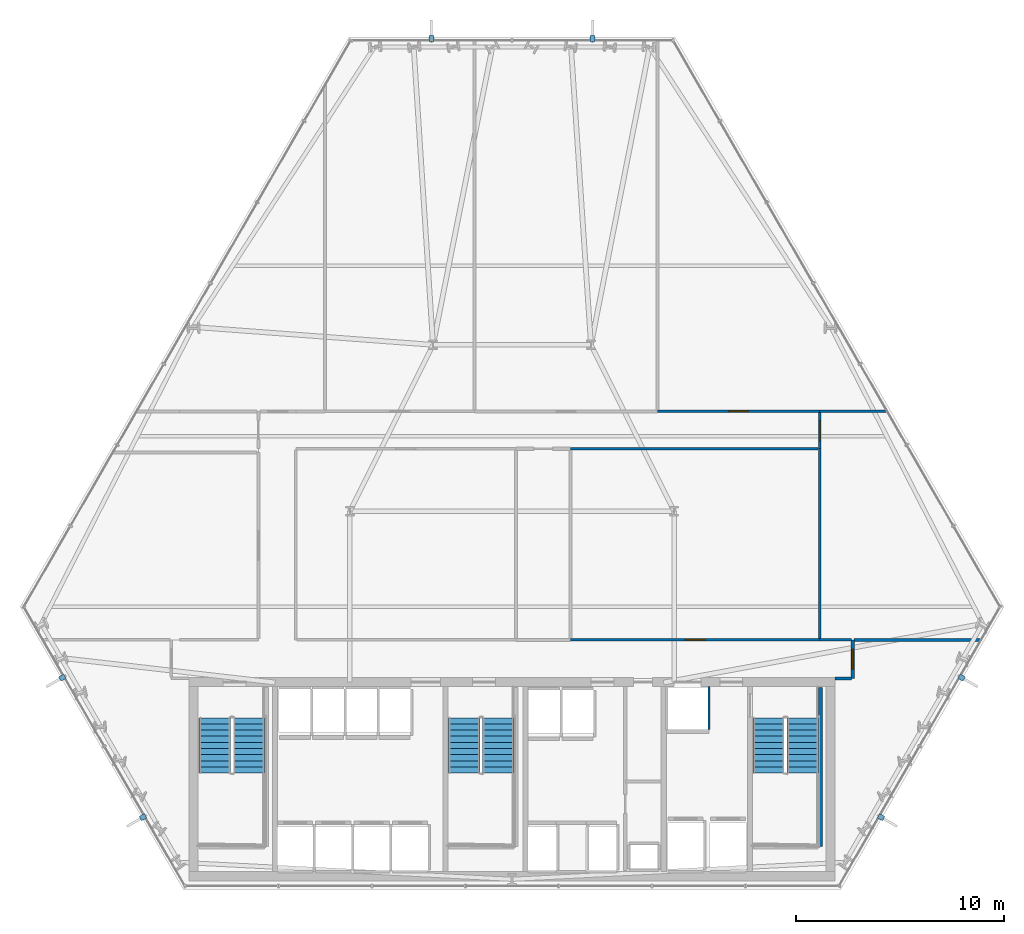
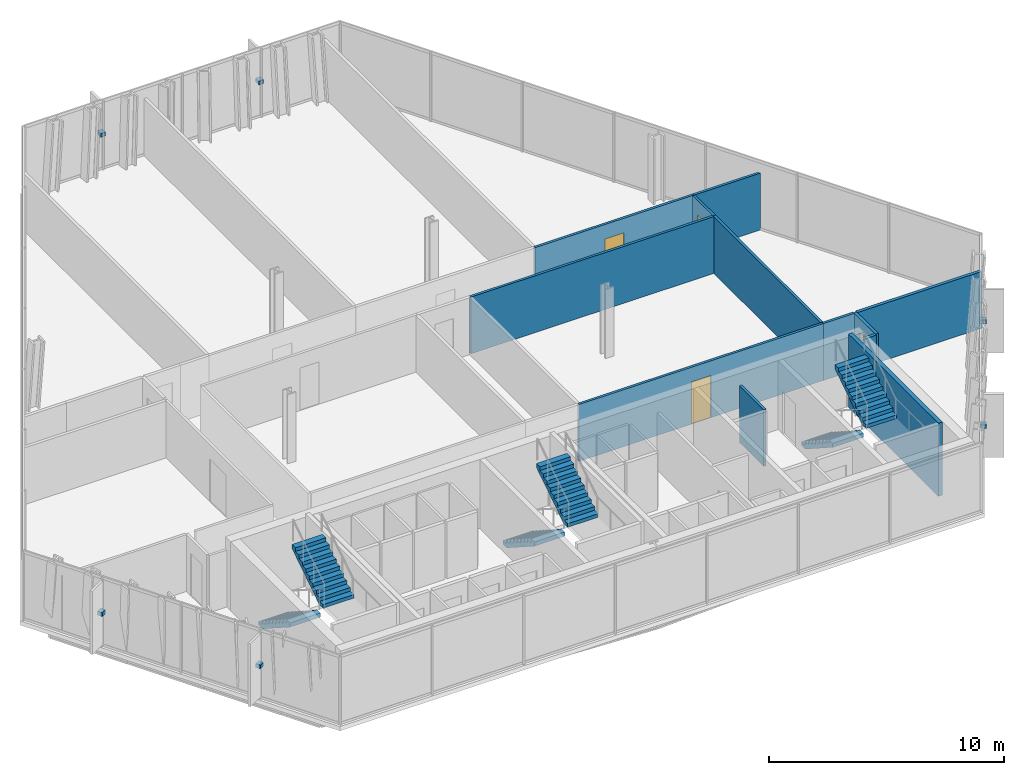
# One storey, part 28 of 32: 12 walls, 6 discrete accessories, 6 stair flights, 4 doors, 4 openings, 3 elements without a shape of their own.
"""IFC4 building model written with IfcOpenShell, lengths in metres."""

from ifc_helpers import new_model, si_unit, direction, frame, frame_2d, origin, origin_2d, place, context, subcontext, project, spatial, polyline, rectangle, outline, extrude, material, layer, layer_set, type_object, element, fill, aggregate, save


model = new_model("IFC4")

# Units and contexts
model_context = context("Model", 3, precision=1e-05, world=origin(), true_north=direction((0.0, 1.0)))
body_context = subcontext(model_context, "Body", "Model", "MODEL_VIEW")
ifc_project = project(units=[si_unit("LENGTHUNIT", "METRE"), si_unit("AREAUNIT", "SQUARE_METRE"), si_unit("VOLUMEUNIT", "CUBIC_METRE"), si_unit("PLANEANGLEUNIT", "RADIAN"), si_unit("MASSUNIT", "GRAM", prefix="KILO")], contexts=[model_context])

# Site, building, storey
site_placement = place(None, origin())
site = spatial("IfcSite", under=ifc_project, at=site_placement, CompositionType="ELEMENT")
building_placement = place(site_placement, origin())
building = spatial("IfcBuilding", under=site, at=building_placement, Name="Ndaravel Arena Tower", CompositionType="ELEMENT")
storey_placement = place(building_placement, frame((0.0, 0.0, 66.39990234375)))
storey = spatial("IfcBuildingStorey", under=building, at=storey_placement, Name="L14", CompositionType="ELEMENT", Elevation=66.39990234375)

# Wall, opening, door
ifc_material_1 = material(Name="Gypsum", Category="gypsum")
ifc_layer_1 = layer(ifc_material_1, 0.125)
ifc_layer_set_1 = layer_set([ifc_layer_1], Name="Gypsum")
wall_type_1 = type_object("IfcWallType", Name="WALL-PART-125", PredefinedType="PARTITIONING", material=ifc_layer_set_1)
wall_1_placement = place(storey_placement, frame((49.0, 28.0, 0.0), z_axis=(0.0, 0.0, 1.0), x_axis=(1.0, 0.0, 0.0)))
wall_1 = element("IfcWall", 1, at=wall_1_placement, inside=storey, type_object=wall_type_1, Name="L14 Interior Partition 012", PredefinedType="PARTITIONING", context=body_context, shape_type="SweptSolid", body=[
    extrude(rectangle(XDim=7.800048828125, YDim=0.125, at=frame_2d((3.89990234375, 0.0))), origin(), (0.0, 0.0, 1.0), 2.9501953125),
])
opening_1_placement = place(wall_1_placement, frame((3.425048828125, 0.0, 0.0)))
opening_1 = element("IfcOpeningElement", 2, at=opening_1_placement, cuts=wall_1, Name="Opening ID-01", PredefinedType="OPENING", context=body_context, shape_type="SweptSolid", body=[
    extrude(rectangle(XDim=0.949951171875, YDim=2.199951171875, at=frame_2d((0.47509765625, 1.10009765625))), frame((0.0, 0.0625, 0.0), z_axis=(0.0, -1.0, 0.0), x_axis=(1.0, 0.0, 0.0)), (0.0, 0.0, 1.0), 0.125),
])
ifc_material_2 = material(Name="Timber", Category="wood")
door_type_1 = type_object("IfcDoorType", Name="DT-03-OFFICE-950", OperationType="SINGLE_SWING_LEFT", PredefinedType="DOOR", material=ifc_material_2)
door_1_placement = place(opening_1_placement, origin())
door_1 = element("IfcDoor", 3, at=door_1_placement, inside=storey, type_object=door_type_1, Name="L14 Barista Galley 3 Door", OperationType="SINGLE_SWING_RIGHT", OverallHeight=2.199951171875, OverallWidth=0.949951171875, PredefinedType="DOOR", context=body_context, shape_type="SweptSolid", body=[
    extrude(rectangle(XDim=0.949951171875, YDim=2.199951171875, at=frame_2d((0.47509765625, 1.10009765625))), frame((0.0, 0.02490234375, 0.0), z_axis=(0.0, -1.0, 0.0), x_axis=(1.0, 0.0, 0.0)), (0.0, 0.0, 1.0), 0.050048828125),
])
fill(opening_1, door_1)

wall_2_placement = place(storey_placement, frame((56.800048828125, 27.93505859375, 0.0), z_axis=(0.0, 0.0, 1.0), x_axis=(0.0, -1.0, 0.0)))
wall_2 = element("IfcWall", 4, at=wall_2_placement, inside=storey, type_object=wall_type_1, Name="L14 Interior Partition 013", PredefinedType="PARTITIONING", context=body_context, shape_type="SweptSolid", body=[
    extrude(rectangle(XDim=1.735107421875, YDim=0.125, at=frame_2d((0.86767578125, 0.0))), origin(), (0.0, 0.0, 1.0), 2.9501953125),
])
opening_2_placement = place(wall_2_placement, frame((0.392578125, 0.0, 0.0)))
opening_2 = element("IfcOpeningElement", 5, at=opening_2_placement, cuts=wall_2, Name="Opening ID-01", PredefinedType="OPENING", context=body_context, shape_type="SweptSolid", body=[
    extrude(rectangle(XDim=0.949951171875, YDim=2.199951171875, at=frame_2d((0.47509765625, 1.10009765625))), frame((0.0, 0.0625, 0.0), z_axis=(0.0, -1.0, 0.0), x_axis=(1.0, 0.0, 0.0)), (0.0, 0.0, 1.0), 0.125),
])
door_2_placement = place(opening_2_placement, origin())
door_2 = element("IfcDoor", 6, at=door_2_placement, inside=storey, type_object=door_type_1, Name="L14 Advisory Desk Office 3 Door", OperationType="SINGLE_SWING_LEFT", OverallHeight=2.199951171875, OverallWidth=0.949951171875, PredefinedType="DOOR", context=body_context, shape_type="SweptSolid", body=[
    extrude(rectangle(XDim=0.949951171875, YDim=2.199951171875, at=frame_2d((0.47509765625, 1.10009765625))), frame((0.0, 0.02490234375, 0.0), z_axis=(0.0, -1.0, 0.0), x_axis=(1.0, 0.0, 0.0)), (0.0, 0.0, 1.0), 0.050048828125),
])
fill(opening_2, door_2)

# Wall
wall_3_placement = place(storey_placement, frame((56.735107421875, 26.199951171875, 0.0), z_axis=(0.0, 0.0, 1.0), x_axis=(-1.0, 0.0, 0.0)))
element("IfcWall", 7, at=wall_3_placement, inside=storey, type_object=wall_type_1, Name="L14 Interior Partition 014", PredefinedType="PARTITIONING", context=body_context, shape_type="SweptSolid", body=[
    extrude(rectangle(XDim=11.920166015625, YDim=0.125, at=frame_2d((5.9599609375, 0.0))), origin(), (0.0, 0.0, 1.0), 2.9501953125),
])

# Wall, opening, door
wall_4_placement = place(storey_placement, frame((44.81494140625, 17.0, 0.0), z_axis=(0.0, 0.0, 1.0), x_axis=(1.0, 0.0, 0.0)))
wall_4 = element("IfcWall", 8, at=wall_4_placement, inside=storey, type_object=wall_type_1, Name="L14 Interior Partition 020", PredefinedType="PARTITIONING", context=body_context, shape_type="SweptSolid", body=[
    extrude(rectangle(XDim=11.985107421875, YDim=0.125, at=frame_2d((5.99267578125, 0.0))), origin(), (0.0, 0.0, 1.0), 2.9501953125),
])
opening_3_placement = place(wall_4_placement, frame((5.517578125, 0.0, 0.0)))
opening_3 = element("IfcOpeningElement", 9, at=opening_3_placement, cuts=wall_4, Name="Opening ID-01", PredefinedType="OPENING", context=body_context, shape_type="SweptSolid", body=[
    extrude(rectangle(XDim=0.949951171875, YDim=2.199951171875, at=frame_2d((0.47509765625, 1.10009765625))), frame((0.0, 0.0625, 0.0), z_axis=(0.0, -1.0, 0.0), x_axis=(1.0, 0.0, 0.0)), (0.0, 0.0, 1.0), 0.125),
])
door_3_placement = place(opening_3_placement, origin())
door_3 = element("IfcDoor", 10, at=door_3_placement, inside=storey, type_object=door_type_1, Name="L14 Cellular Partner Office 2 Door", OperationType="SINGLE_SWING_RIGHT", OverallHeight=2.199951171875, OverallWidth=0.949951171875, PredefinedType="DOOR", context=body_context, shape_type="SweptSolid", body=[
    extrude(rectangle(XDim=0.949951171875, YDim=2.199951171875, at=frame_2d((0.47509765625, 1.10009765625))), frame((0.0, 0.02490234375, 0.0), z_axis=(0.0, -1.0, 0.0), x_axis=(1.0, 0.0, 0.0)), (0.0, 0.0, 1.0), 0.050048828125),
])
fill(opening_3, door_3)

# Walls
wall_5_placement = place(storey_placement, frame((56.800048828125, 17.0, 0.0), z_axis=(0.0, 0.0, 1.0), x_axis=(1.0, 0.0, 0.0)))
element("IfcWall", 11, at=wall_5_placement, inside=storey, type_object=wall_type_1, Name="L14 Interior Partition 021", PredefinedType="PARTITIONING", context=body_context, shape_type="SweptSolid", body=[
    extrude(rectangle(XDim=1.534912109375, YDim=0.125, at=frame_2d((0.767578125, 0.0))), origin(), (0.0, 0.0, 1.0), 2.9501953125),
])
wall_6_placement = place(storey_placement, frame((56.800048828125, 26.199951171875, 0.0), z_axis=(0.0, 0.0, 1.0), x_axis=(0.0, -1.0, 0.0)))
element("IfcWall", 12, at=wall_6_placement, inside=storey, type_object=wall_type_1, Name="L14 Interior Partition 027", PredefinedType="PARTITIONING", context=body_context, shape_type="SweptSolid", body=[
    extrude(rectangle(XDim=9.135009765625, YDim=0.125, at=frame_2d((4.5673828125, 0.0))), origin(), (0.0, 0.0, 1.0), 2.9501953125),
])
wall_7_placement = place(storey_placement, frame((56.800048828125, 28.0, 0.0), z_axis=(0.0, 0.0, 1.0), x_axis=(1.0, 0.0, 0.0)))
element("IfcWall", 13, at=wall_7_placement, inside=storey, type_object=wall_type_1, Name="L14 Interior Partition 028", PredefinedType="PARTITIONING", context=body_context, shape_type="SweptSolid", body=[
    extrude(rectangle(XDim=3.260498046875, YDim=0.125, at=frame_2d((1.63037109375, 0.0))), origin(), (0.0, 0.0, 1.0), 2.9501953125),
])
ifc_material_3 = material(Name="Concrete C40/50", Category="concrete")
ifc_layer_2 = layer(ifc_material_3, 0.1201171875)
ifc_layer_set_2 = layer_set([ifc_layer_2], Name="Concrete C40/50")
wall_type_2 = type_object("IfcWallType", Name="WALL-SHAFT-120", PredefinedType="SOLIDWALL", material=ifc_layer_set_2)
wall_8_placement = place(storey_placement, frame((51.47998046875, 12.68994140625, 0.0), z_axis=(0.0, 0.0, 1.0), x_axis=(0.0, 1.0, 0.0)))
element("IfcWall", 14, at=wall_8_placement, inside=storey, type_object=wall_type_2, Name="L14 SVL-1 Shaft E Wall", PredefinedType="SOLIDWALL", context=body_context, shape_type="SweptSolid", body=[
    extrude(rectangle(XDim=2.070068359375, YDim=0.1201171875, at=frame_2d((1.03515625, 0.0))), origin(), (0.0, 0.0, 1.0), 2.9501953125),
])
ifc_material_4 = material(Name="Concrete C40/50", Category="concrete")
ifc_layer_3 = layer(ifc_material_4, 0.199951171875)
ifc_layer_set_3 = layer_set([ifc_layer_3], Name="Concrete C40/50")
wall_type_3 = type_object("IfcWallType", Name="WALL-SHAFT-200", PredefinedType="SOLIDWALL", material=ifc_layer_set_3)
wall_9_placement = place(storey_placement, frame((56.840087890625, 14.699951171875, 0.0), z_axis=(0.0, 0.0, 1.0), x_axis=(0.0, -1.0, 0.0)))
element("IfcWall", 15, at=wall_9_placement, inside=storey, type_object=wall_type_3, Name="L14 ST-3 Structural Shaft Wall Right", PredefinedType="SOLIDWALL", context=body_context, shape_type="SweptSolid", body=[
    extrude(rectangle(XDim=7.64990234375, YDim=0.199951171875, at=frame_2d((3.824951171875, 0.0))), origin(), (0.0, 0.0, 1.0), 3.800048828125),
])

# Wall, opening, door
ifc_material_5 = material(Name="Masonry", Category="masonry")
ifc_layer_4 = layer(ifc_material_5, 0.14990234375)
ifc_layer_set_4 = layer_set([ifc_layer_4], Name="Masonry")
wall_type_4 = type_object("IfcWallType", Name="WALL-WET-150", PredefinedType="PARTITIONING", material=ifc_layer_set_4)
wall_10_placement = place(storey_placement, frame((58.39990234375, 17.0, 0.0), z_axis=(0.0, 0.0, 1.0), x_axis=(0.0, -1.0, 0.0)))
wall_10 = element("IfcWall", 16, at=wall_10_placement, inside=storey, type_object=wall_type_4, Name="L14 Interior Partition 001", PredefinedType="PARTITIONING", context=body_context, shape_type="SweptSolid", body=[
    extrude(rectangle(XDim=1.85009765625, YDim=0.14990234375, at=frame_2d((0.925048828125, 0.0))), origin(), (0.0, 0.0, 1.0), 2.9501953125),
])
opening_4_placement = place(wall_10_placement, frame((0.449951171875, 0.0, 0.0)))
opening_4 = element("IfcOpeningElement", 17, at=opening_4_placement, cuts=wall_10, Name="Opening FD-03", PredefinedType="OPENING", context=body_context, shape_type="SweptSolid", body=[
    extrude(rectangle(XDim=0.949951171875, YDim=2.199951171875, at=frame_2d((0.47509765625, 1.10009765625))), frame((0.0, 0.074951171875, 0.0), z_axis=(0.0, -1.0, 0.0), x_axis=(1.0, 0.0, 0.0)), (0.0, 0.0, 1.0), 0.14990234375),
])
ifc_material_6 = material(Name="Steel S355", Category="steel")
door_type_2 = type_object("IfcDoorType", Name="DT-11-CORE-950", OperationType="SINGLE_SWING_LEFT", PredefinedType="DOOR", material=ifc_material_6)
door_4_placement = place(opening_4_placement, origin())
door_4 = element("IfcDoor", 18, at=door_4_placement, inside=storey, type_object=door_type_2, Name="L14 Staff Espresso Kitchen Door", OperationType="SINGLE_SWING_RIGHT", OverallHeight=2.199951171875, OverallWidth=0.949951171875, PredefinedType="DOOR", context=body_context, shape_type="SweptSolid", body=[
    extrude(rectangle(XDim=0.949951171875, YDim=2.199951171875, at=frame_2d((0.47509765625, 1.10009765625))), frame((0.0, 0.02490234375, 0.0), z_axis=(0.0, -1.0, 0.0), x_axis=(1.0, 0.0, 0.0)), (0.0, 0.0, 1.0), 0.050048828125),
])
fill(opening_4, door_4)

# Walls
wall_11_placement = place(storey_placement, frame((58.3349609375, 15.14990234375, 0.0), z_axis=(0.0, 0.0, 1.0), x_axis=(-1.0, 0.0, 0.0)))
element("IfcWall", 19, at=wall_11_placement, inside=storey, type_object=wall_type_4, Name="L14 Interior Partition 002", PredefinedType="PARTITIONING", context=body_context, shape_type="SweptSolid", body=[
    extrude(rectangle(XDim=0.784912109375, YDim=0.14990234375, at=frame_2d((0.392578125, 0.0))), origin(), (0.0, 0.0, 1.0), 2.9501953125),
])
wall_12_placement = place(storey_placement, frame((58.465087890625, 17.0, 0.0), z_axis=(0.0, 0.0, 1.0), x_axis=(1.0, 0.0, 0.0)))
element("IfcWall", 20, at=wall_12_placement, inside=storey, type_object=wall_type_4, Name="L14 Interior Partition 023", PredefinedType="PARTITIONING", context=body_context, shape_type="SweptSolid", body=[
    extrude(rectangle(XDim=6.105712890625, YDim=0.14990234375, at=frame_2d((3.052734375, 0.0))), origin(), (0.0, 0.0, 1.0), 2.9501953125),
])

# Stair, stair flights
ifc_material_7 = material(Name="Concrete C40/50", Category="concrete")
stair_type = type_object("IfcStairType", Name="STAIR-CORE-HT", PredefinedType="HALF_TURN_STAIR", material=ifc_material_7)
stair_1_placement = place(storey_placement, origin())
stair_1 = element("IfcStair", 21, at=stair_1_placement, inside=storey, type_object=stair_type, Name="L14 ST-1", PredefinedType="HALF_TURN_STAIR")
ifc_material_8 = material(Name="Concrete C40/50", Category="concrete")
stair_flight_type = type_object("IfcStairFlightType", Name="SFLIGHT-CORE-1680", PredefinedType="STRAIGHT", material=ifc_material_8)
stair_flight_1_placement = place(storey_placement, frame((27.699951171875, 13.25, 0.0), z_axis=(0.0, 0.0, 1.0), x_axis=(0.0, -1.0, 0.0)))
stair_flight_1 = element("IfcStairFlight", 22, at=stair_flight_1_placement, type_object=stair_flight_type, Name="ST-1 flight 1", NumberOfRisers=10, NumberOfTreads=9, PredefinedType="STRAIGHT", RiserHeight=0.19, TreadLength=0.295, context=body_context, shape_type="SweptSolid", body=[
    extrude(outline(polyline([(0.0, 0.0), (0.0, 0.18994140625), (0.294921875, 0.18994140625), (0.294921875, 0.3798828125), (0.590087890625, 0.3798828125), (0.590087890625, 0.570068359375), (0.885009765625, 0.570068359375), (0.885009765625, 0.760009765625), (1.179931640625, 0.760009765625), (1.179931640625, 0.949951171875), (1.47509765625, 0.949951171875), (1.47509765625, 1.139892578125), (1.77001953125, 1.139892578125), (1.77001953125, 1.330078125), (2.06494140625, 1.330078125), (2.06494140625, 1.52001953125), (2.360107421875, 1.52001953125), (2.360107421875, 1.7099609375), (2.655029296875, 1.7099609375), (2.655029296875, 1.89990234375), (2.655029296875, 1.49609375), (0.332275390625, 0.0), (0.0, 0.0)])), frame((0.0, 0.75, 0.0), z_axis=(0.0, -1.0, 0.0), x_axis=(1.0, 0.0, 0.0)), (0.0, 0.0, 1.0), 1.5),
])
stair_flight_2_placement = place(storey_placement, frame((29.340087890625, 10.594970703125, 1.900146484375), z_axis=(0.0, 0.0, 1.0), x_axis=(0.0, 1.0, 0.0)))
stair_flight_2 = element("IfcStairFlight", 23, at=stair_flight_2_placement, type_object=stair_flight_type, Name="ST-1 flight 2", NumberOfRisers=10, NumberOfTreads=9, PredefinedType="STRAIGHT", RiserHeight=0.19, TreadLength=0.295, context=body_context, shape_type="SweptSolid", body=[
    extrude(outline(polyline([(0.0, 0.0), (0.0, 0.18994140625), (0.294921875, 0.18994140625), (0.294921875, 0.3798828125), (0.590087890625, 0.3798828125), (0.590087890625, 0.570068359375), (0.885009765625, 0.570068359375), (0.885009765625, 0.760009765625), (1.179931640625, 0.760009765625), (1.179931640625, 0.949951171875), (1.47509765625, 0.949951171875), (1.47509765625, 1.139892578125), (1.77001953125, 1.139892578125), (1.77001953125, 1.330078125), (2.06494140625, 1.330078125), (2.06494140625, 1.52001953125), (2.360107421875, 1.52001953125), (2.360107421875, 1.7099609375), (2.655029296875, 1.7099609375), (2.655029296875, 1.89990234375), (2.655029296875, 1.49609375), (0.332275390625, 0.0), (0.0, 0.0)])), frame((0.0, 0.75, 0.0), z_axis=(0.0, -1.0, 0.0), x_axis=(1.0, 0.0, 0.0)), (0.0, 0.0, 1.0), 1.5),
])
aggregate(stair_1, [stair_flight_1, stair_flight_2])

stair_2_placement = place(storey_placement, origin())
stair_2 = element("IfcStair", 24, at=stair_2_placement, inside=storey, type_object=stair_type, Name="L14 ST-2", PredefinedType="HALF_TURN_STAIR")
stair_flight_3_placement = place(storey_placement, frame((39.699951171875, 13.25, 0.0), z_axis=(0.0, 0.0, 1.0), x_axis=(0.0, -1.0, 0.0)))
stair_flight_3 = element("IfcStairFlight", 25, at=stair_flight_3_placement, type_object=stair_flight_type, Name="ST-2 flight 1", NumberOfRisers=10, NumberOfTreads=9, PredefinedType="STRAIGHT", RiserHeight=0.19, TreadLength=0.295, context=body_context, shape_type="SweptSolid", body=[
    extrude(outline(polyline([(0.0, 0.0), (0.0, 0.18994140625), (0.294921875, 0.18994140625), (0.294921875, 0.3798828125), (0.590087890625, 0.3798828125), (0.590087890625, 0.570068359375), (0.885009765625, 0.570068359375), (0.885009765625, 0.760009765625), (1.179931640625, 0.760009765625), (1.179931640625, 0.949951171875), (1.47509765625, 0.949951171875), (1.47509765625, 1.139892578125), (1.77001953125, 1.139892578125), (1.77001953125, 1.330078125), (2.06494140625, 1.330078125), (2.06494140625, 1.52001953125), (2.360107421875, 1.52001953125), (2.360107421875, 1.7099609375), (2.655029296875, 1.7099609375), (2.655029296875, 1.89990234375), (2.655029296875, 1.49609375), (0.332275390625, 0.0), (0.0, 0.0)])), frame((0.0, 0.75, 0.0), z_axis=(0.0, -1.0, 0.0), x_axis=(1.0, 0.0, 0.0)), (0.0, 0.0, 1.0), 1.5),
])
stair_flight_4_placement = place(storey_placement, frame((41.340087890625, 10.594970703125, 1.900146484375), z_axis=(0.0, 0.0, 1.0), x_axis=(0.0, 1.0, 0.0)))
stair_flight_4 = element("IfcStairFlight", 26, at=stair_flight_4_placement, type_object=stair_flight_type, Name="ST-2 flight 2", NumberOfRisers=10, NumberOfTreads=9, PredefinedType="STRAIGHT", RiserHeight=0.19, TreadLength=0.295, context=body_context, shape_type="SweptSolid", body=[
    extrude(outline(polyline([(0.0, 0.0), (0.0, 0.18994140625), (0.294921875, 0.18994140625), (0.294921875, 0.3798828125), (0.590087890625, 0.3798828125), (0.590087890625, 0.570068359375), (0.885009765625, 0.570068359375), (0.885009765625, 0.760009765625), (1.179931640625, 0.760009765625), (1.179931640625, 0.949951171875), (1.47509765625, 0.949951171875), (1.47509765625, 1.139892578125), (1.77001953125, 1.139892578125), (1.77001953125, 1.330078125), (2.06494140625, 1.330078125), (2.06494140625, 1.52001953125), (2.360107421875, 1.52001953125), (2.360107421875, 1.7099609375), (2.655029296875, 1.7099609375), (2.655029296875, 1.89990234375), (2.655029296875, 1.49609375), (0.332275390625, 0.0), (0.0, 0.0)])), frame((0.0, 0.75, 0.0), z_axis=(0.0, -1.0, 0.0), x_axis=(1.0, 0.0, 0.0)), (0.0, 0.0, 1.0), 1.5),
])
aggregate(stair_2, [stair_flight_3, stair_flight_4])

stair_3_placement = place(storey_placement, origin())
stair_3 = element("IfcStair", 27, at=stair_3_placement, inside=storey, type_object=stair_type, Name="L14 ST-3", PredefinedType="HALF_TURN_STAIR")
stair_flight_5_placement = place(storey_placement, frame((54.35009765625, 13.25, 0.0), z_axis=(0.0, 0.0, 1.0), x_axis=(0.0, -1.0, 0.0)))
stair_flight_5 = element("IfcStairFlight", 28, at=stair_flight_5_placement, type_object=stair_flight_type, Name="ST-3 flight 1", NumberOfRisers=10, NumberOfTreads=9, PredefinedType="STRAIGHT", RiserHeight=0.19, TreadLength=0.295, context=body_context, shape_type="SweptSolid", body=[
    extrude(outline(polyline([(0.0, 0.0), (0.0, 0.18994140625), (0.294921875, 0.18994140625), (0.294921875, 0.3798828125), (0.590087890625, 0.3798828125), (0.590087890625, 0.570068359375), (0.885009765625, 0.570068359375), (0.885009765625, 0.760009765625), (1.179931640625, 0.760009765625), (1.179931640625, 0.949951171875), (1.47509765625, 0.949951171875), (1.47509765625, 1.139892578125), (1.77001953125, 1.139892578125), (1.77001953125, 1.330078125), (2.06494140625, 1.330078125), (2.06494140625, 1.52001953125), (2.360107421875, 1.52001953125), (2.360107421875, 1.7099609375), (2.655029296875, 1.7099609375), (2.655029296875, 1.89990234375), (2.655029296875, 1.49609375), (0.332275390625, 0.0), (0.0, 0.0)])), frame((0.0, 0.75, 0.0), z_axis=(0.0, -1.0, 0.0), x_axis=(1.0, 0.0, 0.0)), (0.0, 0.0, 1.0), 1.5),
])
stair_flight_6_placement = place(storey_placement, frame((55.989990234375, 10.594970703125, 1.900146484375), z_axis=(0.0, 0.0, 1.0), x_axis=(0.0, 1.0, 0.0)))
stair_flight_6 = element("IfcStairFlight", 29, at=stair_flight_6_placement, type_object=stair_flight_type, Name="ST-3 flight 2", NumberOfRisers=10, NumberOfTreads=9, PredefinedType="STRAIGHT", RiserHeight=0.19, TreadLength=0.295, context=body_context, shape_type="SweptSolid", body=[
    extrude(outline(polyline([(0.0, 0.0), (0.0, 0.18994140625), (0.294921875, 0.18994140625), (0.294921875, 0.3798828125), (0.590087890625, 0.3798828125), (0.590087890625, 0.570068359375), (0.885009765625, 0.570068359375), (0.885009765625, 0.760009765625), (1.179931640625, 0.760009765625), (1.179931640625, 0.949951171875), (1.47509765625, 0.949951171875), (1.47509765625, 1.139892578125), (1.77001953125, 1.139892578125), (1.77001953125, 1.330078125), (2.06494140625, 1.330078125), (2.06494140625, 1.52001953125), (2.360107421875, 1.52001953125), (2.360107421875, 1.7099609375), (2.655029296875, 1.7099609375), (2.655029296875, 1.89990234375), (2.655029296875, 1.49609375), (0.332275390625, 0.0), (0.0, 0.0)])), frame((0.0, 0.75, 0.0), z_axis=(0.0, -1.0, 0.0), x_axis=(1.0, 0.0, 0.0)), (0.0, 0.0, 1.0), 1.5),
])
aggregate(stair_3, [stair_flight_5, stair_flight_6])

# Discrete accessories
ifc_material_9 = material(Name="Steel S355", Category="steel")
discrete_accessory_type = type_object("IfcDiscreteAccessoryType", Name="ACC-BRACKET-FIN", PredefinedType="BRACKET", material=ifc_material_9)
for number, where, z_axis, x_axis, name in (
    (30, (59.760498046875, 8.468505859375, 1.68994140625), (0.0, 0.0, 1.0), (0.866025403784, -0.5, 0.0), "L14 Mazeras Stone Solar Fin E2.1 Bracket"),
    (31, (63.638671875, 15.185302734375, 1.68994140625), (0.0, 0.0, 1.0), (0.866025403784, -0.5, 0.0), "L14 Mazeras Stone Solar Fin E2.2 Bracket"),
    (32, (45.878173828125, 45.947998046875, 1.68994140625), (0.0, 0.0, 1.0), (0.0, 1.0, 0.0), "L14 Mazeras Stone Solar Fin E4.1 Bracket"),
    (33, (38.121826171875, 45.947998046875, 1.68994140625), (0.0, 0.0, 1.0), (0.0, 1.0, 0.0), "L14 Mazeras Stone Solar Fin E4.2 Bracket"),
    (34, (20.361328125, 15.185302734375, 1.68994140625), (0.0, 0.0, 1.0), (-0.866025403784, -0.5, 0.0), "L14 Mazeras Stone Solar Fin E6.1 Bracket"),
    (35, (24.239501953125, 8.468505859375, 1.68994140625), (0.0, 0.0, 1.0), (-0.866025403784, -0.5, 0.0), "L14 Mazeras Stone Solar Fin E6.2 Bracket"),
):
    element("IfcDiscreteAccessory", number, at=place(storey_placement, frame(where, z_axis=z_axis, x_axis=x_axis)), inside=storey, type_object=discrete_accessory_type, Name=name, PredefinedType="BRACKET", context=body_context, shape_type="SweptSolid", body=[
        extrude(rectangle(XDim=0.280029296875, YDim=0.239990234375, at=origin_2d()), origin(), (0.0, 0.0, 1.0), 0.199951171875),
    ])

save(model, "model.ifc")
